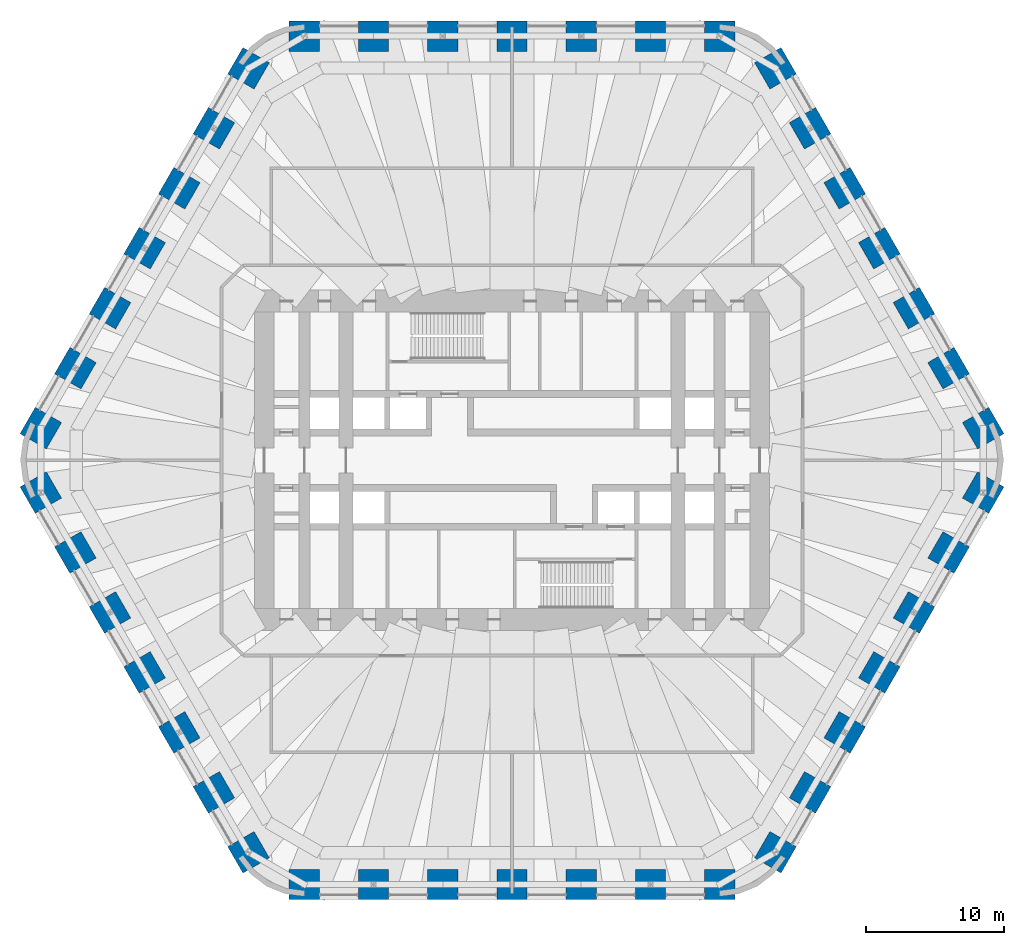
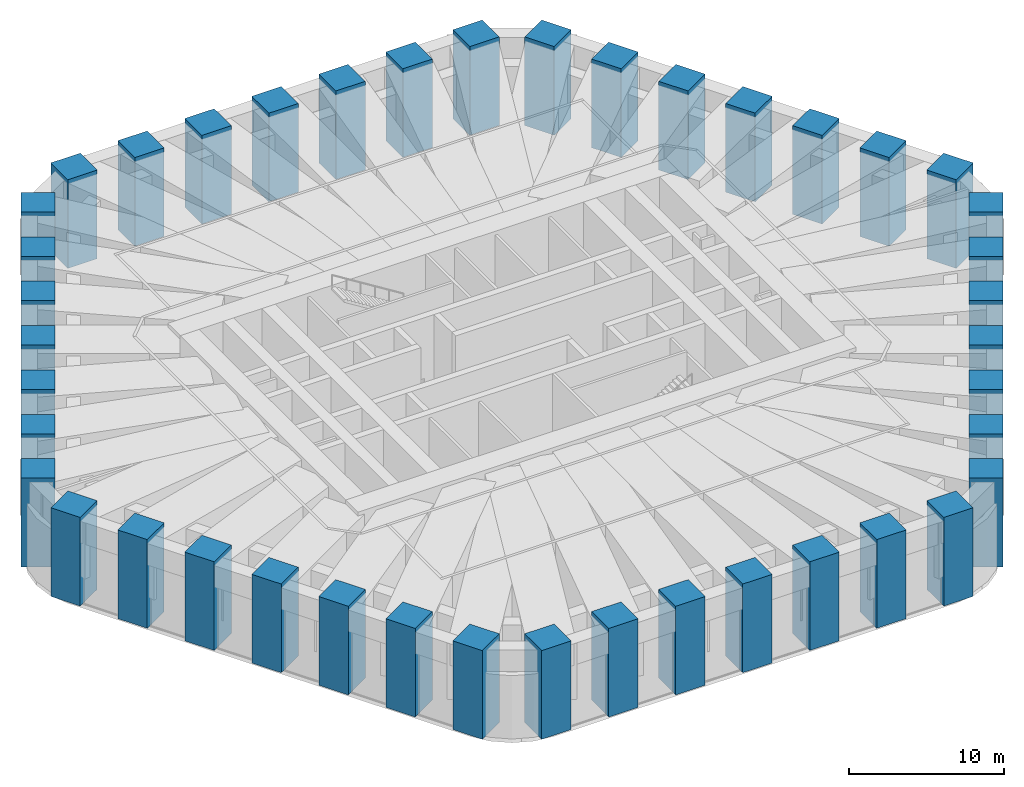
# One storey, part 1 of 16: 42 columns.
"""IFC4 building model written with IfcOpenShell, lengths in metres."""

from ifc_helpers import new_model, si_unit, direction, frame, origin, origin_2d, place, context, subcontext, project, spatial, rectangle, extrude, material, material_profile, profile_set, type_object, element, save


model = new_model("IFC4")

# Units and contexts
model_context = context("Model", 3, precision=1e-05, world=origin(), true_north=direction((0.0, 1.0)))
body_context = subcontext(model_context, "Body", "Model", "MODEL_VIEW")
ifc_project = project(units=[si_unit("LENGTHUNIT", "METRE"), si_unit("AREAUNIT", "SQUARE_METRE"), si_unit("VOLUMEUNIT", "CUBIC_METRE"), si_unit("PLANEANGLEUNIT", "RADIAN"), si_unit("MASSUNIT", "GRAM", prefix="KILO")], contexts=[model_context])

# Site, building, storey
site_placement = place(None, origin())
site = spatial("IfcSite", under=ifc_project, at=site_placement, CompositionType="ELEMENT")
building_placement = place(site_placement, origin())
building = spatial("IfcBuilding", under=site, at=building_placement, Name="Tarfa Lantern Tower", CompositionType="ELEMENT")
storey_placement = place(building_placement, frame((0.0, 0.0, 203.5)))
storey = spatial("IfcBuildingStorey", under=building, at=storey_placement, Name="L46", CompositionType="ELEMENT", Elevation=203.5)

# Columns
ifc_material = material(Name="Concrete C80/95", Category="concrete")
ifc_material_profile = material_profile(ifc_material, rectangle(XDim=2.199951171875, YDim=2.199951171875, at=origin_2d()), Name="RC 2200x2200")
ifc_profile_set = profile_set([ifc_material_profile], Name="Concrete C80/95")
column_type = type_object("IfcColumnType", Name="TT2 RC 2200x2200", PredefinedType="COLUMN", material=ifc_profile_set)
for number, where, z_axis, x_axis, name in (
    (1, (34.04931640625, 2.324951171875, 0.0), (0.0, 0.0, 1.0), (-0.5, 0.866025403784, 0.0), "Tube column NE0"),
    (2, (31.54736328125, 6.658447265625, 0.0), (0.0, 0.0, 1.0), (-0.5, 0.866025403784, 0.0), "Tube column NE1"),
    (3, (29.04541015625, 10.99169921875, 0.0), (0.0, 0.0, 1.0), (-0.5, 0.866025403784, 0.0), "Tube column NE2"),
    (4, (26.543701171875, 15.324951171875, 0.0), (0.0, 0.0, 1.0), (-0.5, 0.866025403784, 0.0), "Tube column NE3"),
    (5, (24.041748046875, 19.658447265625, 0.0), (0.0, 0.0, 1.0), (-0.5, 0.866025403784, 0.0), "Tube column NE4"),
    (6, (21.5400390625, 23.99169921875, 0.0), (0.0, 0.0, 1.0), (-0.5, 0.866025403784, 0.0), "Tube column NE5"),
    (7, (19.0380859375, 28.324951171875, 0.0), (0.0, 0.0, 1.0), (-0.5, 0.866025403784, 0.0), "Tube column NE6"),
    (8, (15.010986328125, 30.64990234375, 0.0), (0.0, 0.0, 1.0), (-1.0, 0.0, 0.0), "Tube column N0"),
    (9, (10.00732421875, 30.64990234375, 0.0), (0.0, 0.0, 1.0), (-1.0, 0.0, 0.0), "Tube column N1"),
    (10, (5.003662109375, 30.64990234375, 0.0), (0.0, 0.0, 1.0), (-1.0, 0.0, 0.0), "Tube column N2"),
    (11, (0.0, 30.64990234375, 0.0), (0.0, 0.0, 1.0), (-1.0, 0.0, 0.0), "Tube column N3"),
    (12, (-5.003662109375, 30.64990234375, 0.0), (0.0, 0.0, 1.0), (-1.0, 0.0, 0.0), "Tube column N4"),
    (13, (-10.00732421875, 30.64990234375, 0.0), (0.0, 0.0, 1.0), (-1.0, 0.0, 0.0), "Tube column N5"),
    (14, (-15.010986328125, 30.64990234375, 0.0), (0.0, 0.0, 1.0), (-1.0, 0.0, 0.0), "Tube column N6"),
    (15, (-19.0380859375, 28.324951171875, 0.0), (0.0, 0.0, 1.0), (-0.5, -0.866025403784, 0.0), "Tube column NW0"),
    (16, (-21.5400390625, 23.99169921875, 0.0), (0.0, 0.0, 1.0), (-0.5, -0.866025403784, 0.0), "Tube column NW1"),
    (17, (-24.041748046875, 19.658447265625, 0.0), (0.0, 0.0, 1.0), (-0.5, -0.866025403784, 0.0), "Tube column NW2"),
    (18, (-26.543701171875, 15.324951171875, 0.0), (0.0, 0.0, 1.0), (-0.5, -0.866025403784, 0.0), "Tube column NW3"),
    (19, (-29.04541015625, 10.99169921875, 0.0), (0.0, 0.0, 1.0), (-0.5, -0.866025403784, 0.0), "Tube column NW4"),
    (20, (-31.54736328125, 6.658447265625, 0.0), (0.0, 0.0, 1.0), (-0.5, -0.866025403784, 0.0), "Tube column NW5"),
    (21, (-34.04931640625, 2.324951171875, 0.0), (0.0, 0.0, 1.0), (-0.5, -0.866025403784, 0.0), "Tube column NW6"),
    (22, (-34.04931640625, -2.324951171875, 0.0), (0.0, 0.0, 1.0), (0.5, -0.866025403784, 0.0), "Tube column SW0"),
    (23, (-31.54736328125, -6.658447265625, 0.0), (0.0, 0.0, 1.0), (0.5, -0.866025403784, 0.0), "Tube column SW1"),
    (24, (-29.04541015625, -10.99169921875, 0.0), (0.0, 0.0, 1.0), (0.5, -0.866025403784, 0.0), "Tube column SW2"),
    (25, (-26.543701171875, -15.324951171875, 0.0), (0.0, 0.0, 1.0), (0.5, -0.866025403784, 0.0), "Tube column SW3"),
    (26, (-24.041748046875, -19.658447265625, 0.0), (0.0, 0.0, 1.0), (0.5, -0.866025403784, 0.0), "Tube column SW4"),
    (27, (-21.5400390625, -23.99169921875, 0.0), (0.0, 0.0, 1.0), (0.5, -0.866025403784, 0.0), "Tube column SW5"),
    (28, (-19.0380859375, -28.324951171875, 0.0), (0.0, 0.0, 1.0), (0.5, -0.866025403784, 0.0), "Tube column SW6"),
    (29, (-15.010986328125, -30.64990234375, 0.0), (0.0, 0.0, 1.0), (1.0, 0.0, 0.0), "Tube column S0"),
    (30, (-10.00732421875, -30.64990234375, 0.0), (0.0, 0.0, 1.0), (1.0, 0.0, 0.0), "Tube column S1"),
    (31, (-5.003662109375, -30.64990234375, 0.0), (0.0, 0.0, 1.0), (1.0, 0.0, 0.0), "Tube column S2"),
    (32, (0.0, -30.64990234375, 0.0), (0.0, 0.0, 1.0), (1.0, 0.0, 0.0), "Tube column S3"),
    (33, (5.003662109375, -30.64990234375, 0.0), (0.0, 0.0, 1.0), (1.0, 0.0, 0.0), "Tube column S4"),
    (34, (10.00732421875, -30.64990234375, 0.0), (0.0, 0.0, 1.0), (1.0, 0.0, 0.0), "Tube column S5"),
    (35, (15.010986328125, -30.64990234375, 0.0), (0.0, 0.0, 1.0), (1.0, 0.0, 0.0), "Tube column S6"),
    (36, (19.0380859375, -28.324951171875, 0.0), (0.0, 0.0, 1.0), (0.5, 0.866025403784, 0.0), "Tube column SE0"),
    (37, (21.5400390625, -23.99169921875, 0.0), (0.0, 0.0, 1.0), (0.5, 0.866025403784, 0.0), "Tube column SE1"),
    (38, (24.041748046875, -19.658447265625, 0.0), (0.0, 0.0, 1.0), (0.5, 0.866025403784, 0.0), "Tube column SE2"),
    (39, (26.543701171875, -15.324951171875, 0.0), (0.0, 0.0, 1.0), (0.5, 0.866025403784, 0.0), "Tube column SE3"),
    (40, (29.04541015625, -10.99169921875, 0.0), (0.0, 0.0, 1.0), (0.5, 0.866025403784, 0.0), "Tube column SE4"),
    (41, (31.54736328125, -6.658447265625, 0.0), (0.0, 0.0, 1.0), (0.5, 0.866025403784, 0.0), "Tube column SE5"),
    (42, (34.04931640625, -2.324951171875, 0.0), (0.0, 0.0, 1.0), (0.5, 0.866025403784, 0.0), "Tube column SE6"),
):
    element("IfcColumn", number, at=place(storey_placement, frame(where, z_axis=z_axis, x_axis=x_axis)), inside=storey, type_object=column_type, Name=name, PredefinedType="COLUMN", context=body_context, shape_type="SweptSolid", body=[
        extrude(rectangle(XDim=2.199951171875, YDim=2.199951171875, at=origin_2d()), origin(), (0.0, 0.0, 1.0), 7.0),
    ])

save(model, "model.ifc")
